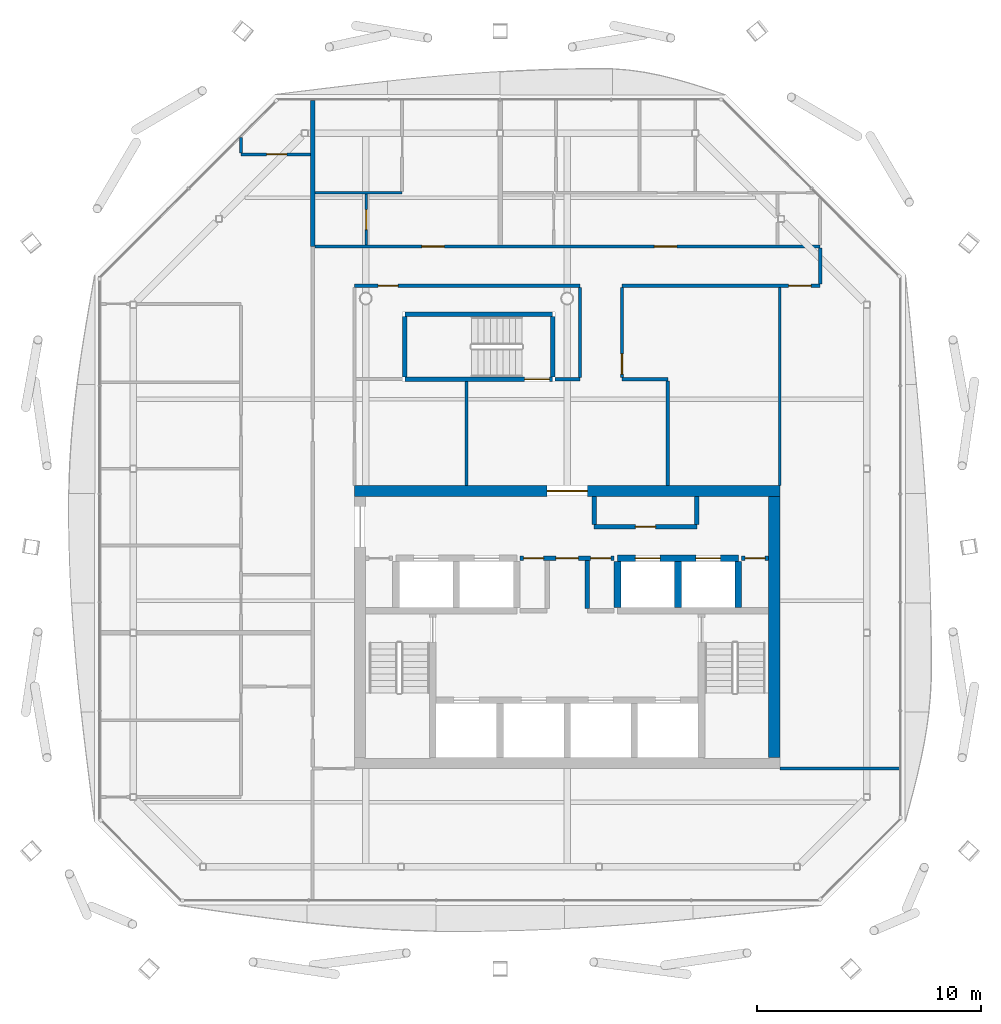
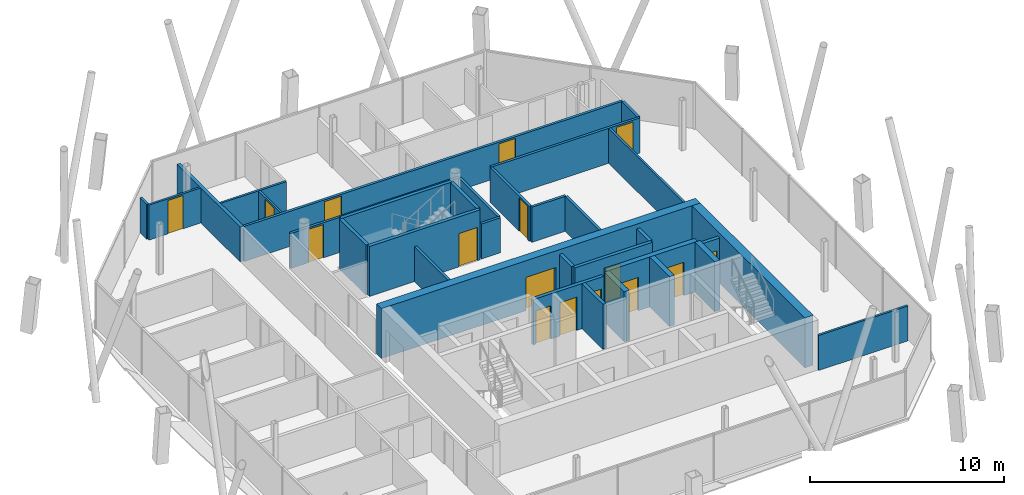
# One storey, part 13 of 17: 33 walls, 16 doors, 16 openings.
"""IFC4 building model written with IfcOpenShell, lengths in metres."""

from ifc_helpers import new_model, si_unit, direction, frame, frame_2d, origin, place, context, subcontext, project, spatial, rectangle, extrude, material, layer, layer_set, type_object, element, fill, save


model = new_model("IFC4")

# Units and contexts
model_context = context("Model", 3, precision=1e-05, world=origin(), true_north=direction((0.0, 1.0)))
body_context = subcontext(model_context, "Body", "Model", "MODEL_VIEW")
ifc_project = project(units=[si_unit("LENGTHUNIT", "METRE"), si_unit("AREAUNIT", "SQUARE_METRE"), si_unit("VOLUMEUNIT", "CUBIC_METRE"), si_unit("PLANEANGLEUNIT", "RADIAN"), si_unit("MASSUNIT", "GRAM", prefix="KILO")], contexts=[model_context])

# Site, building, storey
site_placement = place(None, origin())
site = spatial("IfcSite", under=ifc_project, at=site_placement, CompositionType="ELEMENT")
building_placement = place(site_placement, origin())
building = spatial("IfcBuilding", under=site, at=building_placement, Name="Tskaro Facet Tower", CompositionType="ELEMENT")
storey_placement = place(building_placement, frame((0.0, 0.0, 236.10009765625)))
storey = spatial("IfcBuildingStorey", under=building, at=storey_placement, Name="L61", CompositionType="ELEMENT", Elevation=236.10009765625)

# Wall, openings, doors
ifc_material_1 = material(Name="Concrete C60/75", Category="concrete")
ifc_layer_1 = layer(ifc_material_1, 0.300048828125, Name="Concrete C60/75")
ifc_layer_set_1 = layer_set([ifc_layer_1], Name="Concrete C60/75")
wall_type_1 = type_object("IfcWallType", Name="CORE-SHAFT", PredefinedType="SHEAR", material=ifc_layer_set_1)
wall_1_placement = place(storey_placement, frame((2.25, -2.60009765625, 0.0), z_axis=(0.0, 0.0, 1.0), x_axis=(1.0, 0.0, 0.0)))
wall_1 = element("IfcWall", 1, at=wall_1_placement, inside=storey, type_object=wall_type_1, Name="Shaft wall W018", PredefinedType="SHEAR", context=body_context, shape_type="SweptSolid", body=[
    extrude(rectangle(XDim=5.39990234375, YDim=0.300048828125, at=frame_2d((2.699951171875, 0.0))), origin(), (0.0, 0.0, 1.0), 3.14990234375),
])
opening_1_placement = place(wall_1_placement, frame((0.800048828125, 0.0, 0.0)))
opening_1 = element("IfcOpeningElement", 2, at=opening_1_placement, cuts=wall_1, Name="Opening LD-HB3", PredefinedType="OPENING", context=body_context, shape_type="SweptSolid", body=[
    extrude(rectangle(XDim=1.10009765625, YDim=2.10009765625, at=frame_2d((0.550048828125, 1.050048828125))), frame((0.0, 0.159912109375, 0.0), z_axis=(0.0, -1.0, 0.0), x_axis=(1.0, 0.0, 0.0)), (0.0, 0.0, 1.0), 0.320068359375),
])
opening_2_placement = place(wall_1_placement, frame((3.5, 0.0, 0.0)))
opening_2 = element("IfcOpeningElement", 3, at=opening_2_placement, cuts=wall_1, Name="Opening LD-HB4", PredefinedType="OPENING", context=body_context, shape_type="SweptSolid", body=[
    extrude(rectangle(XDim=1.10009765625, YDim=2.10009765625, at=frame_2d((0.550048828125, 1.050048828125))), frame((0.0, 0.159912109375, 0.0), z_axis=(0.0, -1.0, 0.0), x_axis=(1.0, 0.0, 0.0)), (0.0, 0.0, 1.0), 0.320068359375),
])
ifc_material_2 = material(Name="Stainless steel", Category="steel")
door_type_1 = type_object("IfcDoorType", Name="D-LANDING", OperationType="NOTDEFINED", PredefinedType="DOOR", material=ifc_material_2)
door_1_placement = place(opening_1_placement, origin())
door_1 = element("IfcDoor", 4, at=door_1_placement, inside=storey, type_object=door_type_1, Name="Landing door HB3", OperationType="DOUBLE_DOOR_SLIDING", OverallHeight=2.10009765625, OverallWidth=1.10009765625, PredefinedType="DOOR", context=body_context, shape_type="SweptSolid", body=[
    extrude(rectangle(XDim=1.10009765625, YDim=2.10009765625, at=frame_2d((0.550048828125, 1.050048828125))), frame((0.0, 0.02490234375, 0.0), z_axis=(0.0, -1.0, 0.0), x_axis=(1.0, 0.0, 0.0)), (0.0, 0.0, 1.0), 0.050048828125),
])
fill(opening_1, door_1)
door_2_placement = place(opening_2_placement, origin())
door_2 = element("IfcDoor", 5, at=door_2_placement, inside=storey, type_object=door_type_1, Name="Landing door HB4", OperationType="DOUBLE_DOOR_SLIDING", OverallHeight=2.10009765625, OverallWidth=1.10009765625, PredefinedType="DOOR", context=body_context, shape_type="SweptSolid", body=[
    extrude(rectangle(XDim=1.10009765625, YDim=2.10009765625, at=frame_2d((0.550048828125, 1.050048828125))), frame((0.0, 0.02490234375, 0.0), z_axis=(0.0, -1.0, 0.0), x_axis=(1.0, 0.0, 0.0)), (0.0, 0.0, 1.0), 0.050048828125),
])
fill(opening_2, door_2)

# Walls
for number, where, z_axis, x_axis, name in (
    (6, (2.25, -4.800048828125, 0.0), (0.0, 0.0, 1.0), (0.0, 1.0, 0.0), "Shaft wall W064"),
    (7, (4.949951171875, -4.800048828125, 0.0), (0.0, 0.0, 1.0), (0.0, 1.0, 0.0), "Shaft wall W069"),
    (8, (7.64990234375, -4.800048828125, 0.0), (0.0, 0.0, 1.0), (0.0, 1.0, 0.0), "Shaft wall W074"),
):
    element("IfcWall", number, at=place(storey_placement, frame(where, z_axis=z_axis, x_axis=x_axis)), inside=storey, type_object=wall_type_1, Name=name, PredefinedType="SHEAR", context=body_context, shape_type="SweptSolid", body=[
        extrude(rectangle(XDim=2.050048828125, YDim=0.300048828125, at=frame_2d((1.02490234375, 0.0))), origin(), (0.0, 0.0, 1.0), 3.14990234375),
    ])

# Wall, openings, doors
ifc_material_3 = material(Name="Concrete C20/25", Category="concrete")
ifc_layer_2 = layer(ifc_material_3, 0.199951171875, Name="Concrete C20/25")
ifc_layer_set_2 = layer_set([ifc_layer_2], Name="Concrete C20/25")
wall_type_2 = type_object("IfcWallType", Name="CORE-WALL", PredefinedType="SOLIDWALL", material=ifc_layer_set_2)
wall_2_placement = place(storey_placement, frame((2.10009765625, -2.60009765625, 0.0), z_axis=(0.0, 0.0, 1.0), x_axis=(-1.0, 0.0, 0.0)))
wall_2 = element("IfcWall", 9, at=wall_2_placement, inside=storey, type_object=wall_type_2, Name="Core room wall W017", PredefinedType="SOLIDWALL", context=body_context, shape_type="SweptSolid", body=[
    extrude(rectangle(XDim=4.2001953125, YDim=0.199951171875, at=frame_2d((2.10009765625, 0.0))), origin(), (0.0, 0.0, 1.0), 2.849853515625),
])
opening_3_placement = place(wall_2_placement, frame((1.60009765625, 0.0, 0.0)))
opening_3 = element("IfcOpeningElement", 10, at=opening_3_placement, cuts=wall_2, Name="Opening FL-D1", PredefinedType="OPENING", context=body_context, shape_type="SweptSolid", body=[
    extrude(rectangle(XDim=1.0, YDim=2.10009765625, at=frame_2d((0.5, 1.050048828125))), frame((0.0, 0.10986328125, 0.0), z_axis=(0.0, -1.0, 0.0), x_axis=(1.0, 0.0, 0.0)), (0.0, 0.0, 1.0), 0.219970703125),
])
opening_4_placement = place(wall_2_placement, frame((3.14990234375, 0.0, 0.0)))
opening_4 = element("IfcOpeningElement", 11, at=opening_4_placement, cuts=wall_2, Name="Opening T18-D09", PredefinedType="OPENING", context=body_context, shape_type="SweptSolid", body=[
    extrude(rectangle(XDim=0.89990234375, YDim=2.10009765625, at=frame_2d((0.449951171875, 1.050048828125))), frame((0.0, 0.10986328125, 0.0), z_axis=(0.0, -1.0, 0.0), x_axis=(1.0, 0.0, 0.0)), (0.0, 0.0, 1.0), 0.219970703125),
])
opening_5_placement = place(wall_2_placement, frame((0.14990234375, 0.0, 0.0)))
opening_5 = element("IfcOpeningElement", 12, at=opening_5_placement, cuts=wall_2, Name="Opening T18-D10", PredefinedType="OPENING", context=body_context, shape_type="SweptSolid", body=[
    extrude(rectangle(XDim=0.89990234375, YDim=2.10009765625, at=frame_2d((0.449951171875, 1.050048828125))), frame((0.0, 0.10986328125, 0.0), z_axis=(0.0, -1.0, 0.0), x_axis=(1.0, 0.0, 0.0)), (0.0, 0.0, 1.0), 0.219970703125),
])
ifc_material_4 = material(Name="Steel", Category="steel")
door_type_2 = type_object("IfcDoorType", Name="D-LOBBY", OperationType="NOTDEFINED", PredefinedType="DOOR", material=ifc_material_4)
door_3_placement = place(opening_3_placement, origin())
door_3 = element("IfcDoor", 13, at=door_3_placement, inside=storey, type_object=door_type_2, Name="Lobby door FL", OperationType="SINGLE_SWING_RIGHT", OverallHeight=2.10009765625, OverallWidth=1.0, PredefinedType="DOOR", context=body_context, shape_type="SweptSolid", body=[
    extrude(rectangle(XDim=1.0, YDim=2.10009765625, at=frame_2d((0.5, 1.050048828125))), frame((0.0, 0.02490234375, 0.0), z_axis=(0.0, -1.0, 0.0), x_axis=(1.0, 0.0, 0.0)), (0.0, 0.0, 1.0), 0.050048828125),
])
fill(opening_3, door_3)
ifc_material_5 = material(Name="Timber", Category="wood")
door_type_3 = type_object("IfcDoorType", Name="D-ROOM", OperationType="NOTDEFINED", PredefinedType="DOOR", material=ifc_material_5)
door_4_placement = place(opening_4_placement, origin())
door_4 = element("IfcDoor", 14, at=door_4_placement, inside=storey, type_object=door_type_3, Name="Door T18-D09", OperationType="SINGLE_SWING_RIGHT", OverallHeight=2.10009765625, OverallWidth=0.89990234375, PredefinedType="DOOR", context=body_context, shape_type="SweptSolid", body=[
    extrude(rectangle(XDim=0.89990234375, YDim=2.10009765625, at=frame_2d((0.449951171875, 1.050048828125))), frame((0.0, 0.02490234375, 0.0), z_axis=(0.0, -1.0, 0.0), x_axis=(1.0, 0.0, 0.0)), (0.0, 0.0, 1.0), 0.050048828125),
])
fill(opening_4, door_4)
door_5_placement = place(opening_5_placement, origin())
door_5 = element("IfcDoor", 15, at=door_5_placement, inside=storey, type_object=door_type_3, Name="Door T18-D10", OperationType="SINGLE_SWING_RIGHT", OverallHeight=2.10009765625, OverallWidth=0.89990234375, PredefinedType="DOOR", context=body_context, shape_type="SweptSolid", body=[
    extrude(rectangle(XDim=0.89990234375, YDim=2.10009765625, at=frame_2d((0.449951171875, 1.050048828125))), frame((0.0, 0.02490234375, 0.0), z_axis=(0.0, -1.0, 0.0), x_axis=(1.0, 0.0, 0.0)), (0.0, 0.0, 1.0), 0.050048828125),
])
fill(opening_5, door_5)

# Wall, opening, door
wall_3_placement = place(storey_placement, frame((9.0, -2.60009765625, 0.0), z_axis=(0.0, 0.0, 1.0), x_axis=(-1.0, 0.0, 0.0)))
wall_3 = element("IfcWall", 16, at=wall_3_placement, inside=storey, type_object=wall_type_2, Name="Core room wall W019", PredefinedType="SOLIDWALL", context=body_context, shape_type="SweptSolid", body=[
    extrude(rectangle(XDim=1.199951171875, YDim=0.199951171875, at=frame_2d((0.60009765625, 0.0))), origin(), (0.0, 0.0, 1.0), 2.849853515625),
])
opening_6_placement = place(wall_3_placement, frame((0.14990234375, 0.0, 0.0)))
opening_6 = element("IfcOpeningElement", 17, at=opening_6_placement, cuts=wall_3, Name="Opening T18-D11", PredefinedType="OPENING", context=body_context, shape_type="SweptSolid", body=[
    extrude(rectangle(XDim=0.89990234375, YDim=2.10009765625, at=frame_2d((0.449951171875, 1.050048828125))), frame((0.0, 0.10986328125, 0.0), z_axis=(0.0, -1.0, 0.0), x_axis=(1.0, 0.0, 0.0)), (0.0, 0.0, 1.0), 0.219970703125),
])
door_6_placement = place(opening_6_placement, origin())
door_6 = element("IfcDoor", 18, at=door_6_placement, inside=storey, type_object=door_type_3, Name="Door T18-D11", OperationType="SINGLE_SWING_RIGHT", OverallHeight=2.10009765625, OverallWidth=0.89990234375, PredefinedType="DOOR", context=body_context, shape_type="SweptSolid", body=[
    extrude(rectangle(XDim=0.89990234375, YDim=2.10009765625, at=frame_2d((0.449951171875, 1.050048828125))), frame((0.0, 0.02490234375, 0.0), z_axis=(0.0, -1.0, 0.0), x_axis=(1.0, 0.0, 0.0)), (0.0, 0.0, 1.0), 0.050048828125),
])
fill(opening_6, door_6)

wall_4_placement = place(storey_placement, frame((1.199951171875, -1.199951171875, 0.0), z_axis=(0.0, 0.0, 1.0), x_axis=(1.0, 0.0, 0.0)))
wall_4 = element("IfcWall", 19, at=wall_4_placement, inside=storey, type_object=wall_type_2, Name="Core room wall W021", PredefinedType="SOLIDWALL", context=body_context, shape_type="SweptSolid", body=[
    extrude(rectangle(XDim=4.60009765625, YDim=0.199951171875, at=frame_2d((2.300048828125, 0.0))), origin(), (0.0, 0.0, 1.0), 2.849853515625),
])
opening_7_placement = place(wall_4_placement, frame((1.85009765625, 0.0, 0.0)))
opening_7 = element("IfcOpeningElement", 20, at=opening_7_placement, cuts=wall_4, Name="Opening T18-D13", PredefinedType="OPENING", context=body_context, shape_type="SweptSolid", body=[
    extrude(rectangle(XDim=0.89990234375, YDim=2.10009765625, at=frame_2d((0.449951171875, 1.050048828125))), frame((0.0, 0.10986328125, 0.0), z_axis=(0.0, -1.0, 0.0), x_axis=(1.0, 0.0, 0.0)), (0.0, 0.0, 1.0), 0.219970703125),
])
door_7_placement = place(opening_7_placement, origin())
door_7 = element("IfcDoor", 21, at=door_7_placement, inside=storey, type_object=door_type_3, Name="Door T18-D13", OperationType="SINGLE_SWING_LEFT", OverallHeight=2.10009765625, OverallWidth=0.89990234375, PredefinedType="DOOR", context=body_context, shape_type="SweptSolid", body=[
    extrude(rectangle(XDim=0.89990234375, YDim=2.10009765625, at=frame_2d((0.449951171875, 1.050048828125))), frame((0.0, 0.02490234375, 0.0), z_axis=(0.0, -1.0, 0.0), x_axis=(1.0, 0.0, 0.0)), (0.0, 0.0, 1.0), 0.050048828125),
])
fill(opening_7, door_7)

# Walls
wall_5_placement = place(storey_placement, frame((0.89990234375, -4.85009765625, 0.0), z_axis=(0.0, 0.0, 1.0), x_axis=(0.0, 1.0, 0.0)))
element("IfcWall", 22, at=wall_5_placement, inside=storey, type_object=wall_type_2, Name="Core room wall W062", PredefinedType="SOLIDWALL", context=body_context, shape_type="SweptSolid", body=[
    extrude(rectangle(XDim=2.150146484375, YDim=0.199951171875, at=frame_2d((1.0751953125, 0.0))), origin(), (0.0, 0.0, 1.0), 2.849853515625),
])
for number, where, z_axis, x_axis, name in (
    (23, (1.199951171875, -1.10009765625, 0.0), (0.0, 0.0, 1.0), (0.0, 1.0, 0.0), "Core room wall W063"),
    (24, (5.800048828125, -1.10009765625, 0.0), (0.0, 0.0, 1.0), (0.0, 1.0, 0.0), "Core room wall W072"),
):
    element("IfcWall", number, at=place(storey_placement, frame(where, z_axis=z_axis, x_axis=x_axis)), inside=storey, type_object=wall_type_2, Name=name, PredefinedType="SOLIDWALL", context=body_context, shape_type="SweptSolid", body=[
        extrude(rectangle(XDim=1.25, YDim=0.199951171875, at=frame_2d((0.625, 0.0))), origin(), (0.0, 0.0, 1.0), 2.849853515625),
    ])

# Wall, opening, door
ifc_material_6 = material(Name="Concrete C40/50", Category="concrete")
ifc_layer_3 = layer(ifc_material_6, 0.5, Name="Concrete C40/50")
ifc_layer_set_3 = layer_set([ifc_layer_3], Name="Concrete C40/50")
wall_type_3 = type_object("IfcWallType", Name="Core wall 500", PredefinedType="SHEAR", material=ifc_layer_set_3)
wall_6_placement = place(storey_placement, frame((-9.5, 0.39990234375, 0.0), z_axis=(0.0, 0.0, 1.0), x_axis=(1.0, 0.0, 0.0)))
wall_6 = element("IfcWall", 25, at=wall_6_placement, inside=storey, type_object=wall_type_3, Name="Core wall CW-Z3N", PredefinedType="SHEAR", context=body_context, shape_type="SweptSolid", body=[
    extrude(rectangle(XDim=19.0, YDim=0.5, at=frame_2d((9.5, 0.0))), origin(), (0.0, 0.0, 1.0), 3.14990234375),
])
opening_8_placement = place(wall_6_placement, frame((8.60009765625, 0.0, 0.0)))
opening_8 = element("IfcOpeningElement", 26, at=opening_8_placement, cuts=wall_6, Name="Opening T18-D15", PredefinedType="OPENING", context=body_context, shape_type="SweptSolid", body=[
    extrude(rectangle(XDim=1.800048828125, YDim=2.10009765625, at=frame_2d((0.89990234375, 1.050048828125))), frame((0.0, 0.260009765625, 0.0), z_axis=(0.0, -1.0, 0.0), x_axis=(1.0, 0.0, 0.0)), (0.0, 0.0, 1.0), 0.52001953125),
])
door_type_4 = type_object("IfcDoorType", Name="D-CORE-PAIR", OperationType="NOTDEFINED", PredefinedType="DOOR", material=ifc_material_4)
door_8_placement = place(opening_8_placement, origin())
door_8 = element("IfcDoor", 27, at=door_8_placement, inside=storey, type_object=door_type_4, Name="Door T18-D15", OperationType="DOUBLE_DOOR_SINGLE_SWING", OverallHeight=2.10009765625, OverallWidth=1.800048828125, PredefinedType="DOOR", context=body_context, shape_type="SweptSolid", body=[
    extrude(rectangle(XDim=1.800048828125, YDim=2.10009765625, at=frame_2d((0.89990234375, 1.050048828125))), frame((0.0, 0.02490234375, 0.0), z_axis=(0.0, -1.0, 0.0), x_axis=(1.0, 0.0, 0.0)), (0.0, 0.0, 1.0), 0.050048828125),
])
fill(opening_8, door_8)

# Walls
wall_7_placement = place(storey_placement, frame((9.25, -11.5, 0.0), z_axis=(0.0, 0.0, 1.0), x_axis=(0.0, 1.0, 0.0)))
element("IfcWall", 28, at=wall_7_placement, inside=storey, type_object=wall_type_3, Name="Core wall CW-Z3E", PredefinedType="SHEAR", context=body_context, shape_type="SweptSolid", body=[
    extrude(rectangle(XDim=11.64990234375, YDim=0.5, at=frame_2d((5.824951171875, 0.0))), origin(), (0.0, 0.0, 1.0), 3.14990234375),
])
ifc_material_7 = material(Name="Gypsum board on steel studs", Category="steel")
ifc_layer_4 = layer(ifc_material_7, 0.125, Name="Gypsum board on steel studs")
ifc_layer_set_4 = layer_set([ifc_layer_4], Name="Gypsum board on steel studs")
wall_type_4 = type_object("IfcWallType", Name="PART", PredefinedType="PARTITIONING", material=ifc_layer_set_4)
wall_8_placement = place(storey_placement, frame((9.5, -12.0, 0.0), z_axis=(0.0, 0.0, 1.0), x_axis=(1.0, 0.0, 0.0)))
element("IfcWall", 29, at=wall_8_placement, inside=storey, type_object=wall_type_4, Name="Partition W004", PredefinedType="PARTITIONING", context=body_context, shape_type="SweptSolid", body=[
    extrude(rectangle(XDim=5.339111328125, YDim=0.125, at=frame_2d((2.66943359375, 0.0))), origin(), (0.0, 0.0, 1.0), 2.2099609375),
])
wall_9_placement = place(storey_placement, frame((-11.27490234375, 13.72509765625, 0.0), z_axis=(0.0, 0.0, 1.0), x_axis=(1.0, 0.0, 0.0)))
element("IfcWall", 30, at=wall_9_placement, inside=storey, type_object=wall_type_4, Name="Partition W035", PredefinedType="PARTITIONING", context=body_context, shape_type="SweptSolid", body=[
    extrude(rectangle(XDim=3.89990234375, YDim=0.125, at=frame_2d((1.949951171875, 0.0))), origin(), (0.0, 0.0, 1.0), 2.2099609375),
])

# Wall, opening, door
wall_10_placement = place(storey_placement, frame((-14.574951171875, 15.43994140625, 0.0), z_axis=(0.0, 0.0, 1.0), x_axis=(1.0, 0.0, 0.0)))
wall_10 = element("IfcWall", 31, at=wall_10_placement, inside=storey, type_object=wall_type_4, Name="Partition W038", PredefinedType="PARTITIONING", context=body_context, shape_type="SweptSolid", body=[
    extrude(rectangle(XDim=3.099853515625, YDim=0.125, at=frame_2d((1.5498046875, 0.0))), origin(), (0.0, 0.0, 1.0), 2.2099609375),
])
opening_9_placement = place(wall_10_placement, frame((1.14990234375, 0.0, 0.0)))
opening_9 = element("IfcOpeningElement", 32, at=opening_9_placement, cuts=wall_10, Name="Opening T18-D30", PredefinedType="OPENING", context=body_context, shape_type="SweptSolid", body=[
    extrude(rectangle(XDim=0.89990234375, YDim=2.10009765625, at=frame_2d((0.449951171875, 1.050048828125))), frame((0.0, 0.072509765625, 0.0), z_axis=(0.0, -1.0, 0.0), x_axis=(1.0, 0.0, 0.0)), (0.0, 0.0, 1.0), 0.14501953125),
])
door_9_placement = place(opening_9_placement, origin())
door_9 = element("IfcDoor", 33, at=door_9_placement, inside=storey, type_object=door_type_3, Name="Door T18-D30", OperationType="SINGLE_SWING_LEFT", OverallHeight=2.10009765625, OverallWidth=0.89990234375, PredefinedType="DOOR", context=body_context, shape_type="SweptSolid", body=[
    extrude(rectangle(XDim=0.89990234375, YDim=2.10009765625, at=frame_2d((0.449951171875, 1.050048828125))), frame((0.0, 0.02490234375, 0.0), z_axis=(0.0, -1.0, 0.0), x_axis=(1.0, 0.0, 0.0)), (0.0, 0.0, 1.0), 0.050048828125),
])
fill(opening_9, door_9)

# Wall
wall_11_placement = place(storey_placement, frame((-14.574951171875, 15.50244140625, 0.0), z_axis=(0.0, 0.0, 1.0), x_axis=(0.0, 1.0, 0.0)))
element("IfcWall", 34, at=wall_11_placement, inside=storey, type_object=wall_type_4, Name="Partition W040", PredefinedType="PARTITIONING", context=body_context, shape_type="SweptSolid", body=[
    extrude(rectangle(XDim=0.689453125, YDim=0.125, at=frame_2d((0.3447265625, 0.0))), origin(), (0.0, 0.0, 1.0), 2.2099609375),
])

# Wall, opening, door
wall_12_placement = place(storey_placement, frame((-8.97509765625, 11.39990234375, 0.0), z_axis=(0.0, 0.0, 1.0), x_axis=(0.0, 1.0, 0.0)))
wall_12 = element("IfcWall", 35, at=wall_12_placement, inside=storey, type_object=wall_type_4, Name="Partition W045", PredefinedType="PARTITIONING", context=body_context, shape_type="SweptSolid", body=[
    extrude(rectangle(XDim=2.2626953125, YDim=0.125, at=frame_2d((1.13134765625, 0.0))), origin(), (0.0, 0.0, 1.0), 2.2099609375),
])
opening_10_placement = place(wall_12_placement, frame((0.675048828125, 0.0, 0.0)))
opening_10 = element("IfcOpeningElement", 36, at=opening_10_placement, cuts=wall_12, Name="Opening T18-D25", PredefinedType="OPENING", context=body_context, shape_type="SweptSolid", body=[
    extrude(rectangle(XDim=0.89990234375, YDim=2.10009765625, at=frame_2d((0.449951171875, 1.050048828125))), frame((0.0, 0.072509765625, 0.0), z_axis=(0.0, -1.0, 0.0), x_axis=(1.0, 0.0, 0.0)), (0.0, 0.0, 1.0), 0.14501953125),
])
door_10_placement = place(opening_10_placement, origin())
door_10 = element("IfcDoor", 37, at=door_10_placement, inside=storey, type_object=door_type_3, Name="Door T18-D25", OperationType="SINGLE_SWING_LEFT", OverallHeight=2.10009765625, OverallWidth=0.89990234375, PredefinedType="DOOR", context=body_context, shape_type="SweptSolid", body=[
    extrude(rectangle(XDim=0.89990234375, YDim=2.10009765625, at=frame_2d((0.449951171875, 1.050048828125))), frame((0.0, 0.02490234375, 0.0), z_axis=(0.0, -1.0, 0.0), x_axis=(1.0, 0.0, 0.0)), (0.0, 0.0, 1.0), 0.050048828125),
])
fill(opening_10, door_10)

# Walls
wall_13_placement = place(storey_placement, frame((9.5, 0.64990234375, 0.0), z_axis=(0.0, 0.0, 1.0), x_axis=(0.0, 1.0, 0.0)))
element("IfcWall", 38, at=wall_13_placement, inside=storey, type_object=wall_type_4, Name="Partition W077", PredefinedType="PARTITIONING", context=body_context, shape_type="SweptSolid", body=[
    extrude(rectangle(XDim=8.85009765625, YDim=0.125, at=frame_2d((4.425048828125, 0.0))), origin(), (0.0, 0.0, 1.0), 2.2099609375),
])
ifc_layer_5 = layer(ifc_material_7, 0.14990234375, Name="Gypsum board on steel studs")
ifc_layer_set_5 = layer_set([ifc_layer_5], Name="Gypsum board on steel studs")
wall_type_5 = type_object("IfcWallType", Name="PART-CORR", PredefinedType="PARTITIONING", material=ifc_layer_set_5)
wall_14_placement = place(storey_placement, frame((-0.550048828125, 5.39990234375, 0.0), z_axis=(0.0, 0.0, 1.0), x_axis=(1.0, 0.0, 0.0)))
element("IfcWall", 39, at=wall_14_placement, inside=storey, type_object=wall_type_5, Name="Corridor wall W027", PredefinedType="PARTITIONING", context=body_context, shape_type="SweptSolid", body=[
    extrude(rectangle(XDim=1.125, YDim=0.14990234375, at=frame_2d((0.5625, 0.0))), origin(), (0.0, 0.0, 1.0), 2.2099609375),
])
wall_15_placement = place(storey_placement, frame((2.449951171875, 5.39990234375, 0.0), z_axis=(0.0, 0.0, 1.0), x_axis=(1.0, 0.0, 0.0)))
element("IfcWall", 40, at=wall_15_placement, inside=storey, type_object=wall_type_5, Name="Corridor wall W028", PredefinedType="PARTITIONING", context=body_context, shape_type="SweptSolid", body=[
    extrude(rectangle(XDim=2.050048828125, YDim=0.14990234375, at=frame_2d((1.02490234375, 0.0))), origin(), (0.0, 0.0, 1.0), 2.2099609375),
])

# Wall, opening, door
wall_16_placement = place(storey_placement, frame((0.574951171875, 9.574951171875, 0.0), z_axis=(0.0, 0.0, 1.0), x_axis=(-1.0, 0.0, 0.0)))
wall_16 = element("IfcWall", 41, at=wall_16_placement, inside=storey, type_object=wall_type_5, Name="Corridor wall W032", PredefinedType="PARTITIONING", context=body_context, shape_type="SweptSolid", body=[
    extrude(rectangle(XDim=10.074951171875, YDim=0.14990234375, at=frame_2d((5.03759765625, 0.0))), origin(), (0.0, 0.0, 1.0), 2.2099609375),
])
opening_11_placement = place(wall_16_placement, frame((8.125, 0.0, 0.0)))
opening_11 = element("IfcOpeningElement", 42, at=opening_11_placement, cuts=wall_16, Name="Opening T18-D21", PredefinedType="OPENING", context=body_context, shape_type="SweptSolid", body=[
    extrude(rectangle(XDim=0.89990234375, YDim=2.10009765625, at=frame_2d((0.449951171875, 1.050048828125))), frame((0.0, 0.0849609375, 0.0), z_axis=(0.0, -1.0, 0.0), x_axis=(1.0, 0.0, 0.0)), (0.0, 0.0, 1.0), 0.169921875),
])
door_11_placement = place(opening_11_placement, origin())
door_11 = element("IfcDoor", 43, at=door_11_placement, inside=storey, type_object=door_type_3, Name="Door T18-D21", OperationType="SINGLE_SWING_RIGHT", OverallHeight=2.10009765625, OverallWidth=0.89990234375, PredefinedType="DOOR", context=body_context, shape_type="SweptSolid", body=[
    extrude(rectangle(XDim=0.89990234375, YDim=2.10009765625, at=frame_2d((0.449951171875, 1.050048828125))), frame((0.0, 0.02490234375, 0.0), z_axis=(0.0, -1.0, 0.0), x_axis=(1.0, 0.0, 0.0)), (0.0, 0.0, 1.0), 0.050048828125),
])
fill(opening_11, door_11)

wall_17_placement = place(storey_placement, frame((11.300048828125, 9.574951171875, 0.0), z_axis=(0.0, 0.0, 1.0), x_axis=(-1.0, 0.0, 0.0)))
wall_17 = element("IfcWall", 44, at=wall_17_placement, inside=storey, type_object=wall_type_5, Name="Corridor wall W033", PredefinedType="PARTITIONING", context=body_context, shape_type="SweptSolid", body=[
    extrude(rectangle(XDim=8.85009765625, YDim=0.14990234375, at=frame_2d((4.425048828125, 0.0))), origin(), (0.0, 0.0, 1.0), 2.2099609375),
])
opening_12_placement = place(wall_17_placement, frame((0.39990234375, 0.0, 0.0)))
opening_12 = element("IfcOpeningElement", 45, at=opening_12_placement, cuts=wall_17, Name="Opening T18-D22", PredefinedType="OPENING", context=body_context, shape_type="SweptSolid", body=[
    extrude(rectangle(XDim=1.0, YDim=2.10009765625, at=frame_2d((0.5, 1.050048828125))), frame((0.0, 0.0849609375, 0.0), z_axis=(0.0, -1.0, 0.0), x_axis=(1.0, 0.0, 0.0)), (0.0, 0.0, 1.0), 0.169921875),
])
door_type_5 = type_object("IfcDoorType", Name="D-ROOM-WIDE", OperationType="NOTDEFINED", PredefinedType="DOOR", material=ifc_material_5)
door_12_placement = place(opening_12_placement, origin())
door_12 = element("IfcDoor", 46, at=door_12_placement, inside=storey, type_object=door_type_5, Name="Door T18-D22", OperationType="SINGLE_SWING_RIGHT", OverallHeight=2.10009765625, OverallWidth=1.0, PredefinedType="DOOR", context=body_context, shape_type="SweptSolid", body=[
    extrude(rectangle(XDim=1.0, YDim=2.10009765625, at=frame_2d((0.5, 1.050048828125))), frame((0.0, 0.02490234375, 0.0), z_axis=(0.0, -1.0, 0.0), x_axis=(1.0, 0.0, 0.0)), (0.0, 0.0, 1.0), 0.050048828125),
])
fill(opening_12, door_12)

# Wall, openings, doors
wall_18_placement = place(storey_placement, frame((-11.27490234375, 11.324951171875, 0.0), z_axis=(0.0, 0.0, 1.0), x_axis=(1.0, 0.0, 0.0)))
wall_18 = element("IfcWall", 47, at=wall_18_placement, inside=storey, type_object=wall_type_5, Name="Corridor wall W034", PredefinedType="PARTITIONING", context=body_context, shape_type="SweptSolid", body=[
    extrude(rectangle(XDim=22.574951171875, YDim=0.14990234375, at=frame_2d((11.28759765625, 0.0))), origin(), (0.0, 0.0, 1.0), 2.2099609375),
])
opening_13_placement = place(wall_18_placement, frame((4.78759765625, 0.0, 0.0)))
opening_13 = element("IfcOpeningElement", 48, at=opening_13_placement, cuts=wall_18, Name="Opening T18-D23", PredefinedType="OPENING", context=body_context, shape_type="SweptSolid", body=[
    extrude(rectangle(XDim=1.0, YDim=2.10009765625, at=frame_2d((0.5, 1.050048828125))), frame((0.0, 0.0849609375, 0.0), z_axis=(0.0, -1.0, 0.0), x_axis=(1.0, 0.0, 0.0)), (0.0, 0.0, 1.0), 0.169921875),
])
opening_14_placement = place(wall_18_placement, frame((15.175048828125, 0.0, 0.0)))
opening_14 = element("IfcOpeningElement", 49, at=opening_14_placement, cuts=wall_18, Name="Opening T18-D24", PredefinedType="OPENING", context=body_context, shape_type="SweptSolid", body=[
    extrude(rectangle(XDim=1.0, YDim=2.10009765625, at=frame_2d((0.5, 1.050048828125))), frame((0.0, 0.0849609375, 0.0), z_axis=(0.0, -1.0, 0.0), x_axis=(1.0, 0.0, 0.0)), (0.0, 0.0, 1.0), 0.169921875),
])
door_type_6 = type_object("IfcDoorType", Name="D-FLAT-ENTRY", OperationType="NOTDEFINED", PredefinedType="DOOR", material=ifc_material_5)
door_13_placement = place(opening_13_placement, origin())
door_13 = element("IfcDoor", 50, at=door_13_placement, inside=storey, type_object=door_type_6, Name="Door T18-D23", OperationType="SINGLE_SWING_LEFT", OverallHeight=2.10009765625, OverallWidth=1.0, PredefinedType="DOOR", context=body_context, shape_type="SweptSolid", body=[
    extrude(rectangle(XDim=1.0, YDim=2.10009765625, at=frame_2d((0.5, 1.050048828125))), frame((0.0, 0.02490234375, 0.0), z_axis=(0.0, -1.0, 0.0), x_axis=(1.0, 0.0, 0.0)), (0.0, 0.0, 1.0), 0.050048828125),
])
fill(opening_13, door_13)
door_14_placement = place(opening_14_placement, origin())
door_14 = element("IfcDoor", 51, at=door_14_placement, inside=storey, type_object=door_type_6, Name="Door T18-D24", OperationType="SINGLE_SWING_LEFT", OverallHeight=2.10009765625, OverallWidth=1.0, PredefinedType="DOOR", context=body_context, shape_type="SweptSolid", body=[
    extrude(rectangle(XDim=1.0, YDim=2.10009765625, at=frame_2d((0.5, 1.050048828125))), frame((0.0, 0.02490234375, 0.0), z_axis=(0.0, -1.0, 0.0), x_axis=(1.0, 0.0, 0.0)), (0.0, 0.0, 1.0), 0.050048828125),
])
fill(opening_14, door_14)

# Walls
wall_19_placement = place(storey_placement, frame((-4.5, 0.64990234375, 0.0), z_axis=(0.0, 0.0, 1.0), x_axis=(0.0, 1.0, 0.0)))
element("IfcWall", 52, at=wall_19_placement, inside=storey, type_object=wall_type_5, Name="Corridor wall W051", PredefinedType="PARTITIONING", context=body_context, shape_type="SweptSolid", body=[
    extrude(rectangle(XDim=4.650146484375, YDim=0.14990234375, at=frame_2d((2.3251953125, 0.0))), origin(), (0.0, 0.0, 1.0), 2.2099609375),
])
wall_20_placement = place(storey_placement, frame((0.574951171875, 5.47509765625, 0.0), z_axis=(0.0, 0.0, 1.0), x_axis=(0.0, 1.0, 0.0)))
element("IfcWall", 53, at=wall_20_placement, inside=storey, type_object=wall_type_5, Name="Corridor wall W061", PredefinedType="PARTITIONING", context=body_context, shape_type="SweptSolid", body=[
    extrude(rectangle(XDim=4.02490234375, YDim=0.14990234375, at=frame_2d((2.012451171875, 0.0))), origin(), (0.0, 0.0, 1.0), 2.2099609375),
])

# Wall, opening, door
wall_21_placement = place(storey_placement, frame((2.449951171875, 9.5, 0.0), z_axis=(0.0, 0.0, 1.0), x_axis=(0.0, -1.0, 0.0)))
wall_21 = element("IfcWall", 54, at=wall_21_placement, inside=storey, type_object=wall_type_5, Name="Corridor wall W065", PredefinedType="PARTITIONING", context=body_context, shape_type="SweptSolid", body=[
    extrude(rectangle(XDim=4.02490234375, YDim=0.14990234375, at=frame_2d((2.012451171875, 0.0))), origin(), (0.0, 0.0, 1.0), 2.2099609375),
])
opening_15_placement = place(wall_21_placement, frame((2.97509765625, 0.0, 0.0)))
opening_15 = element("IfcOpeningElement", 55, at=opening_15_placement, cuts=wall_21, Name="Opening T18-D19", PredefinedType="OPENING", context=body_context, shape_type="SweptSolid", body=[
    extrude(rectangle(XDim=0.89990234375, YDim=2.10009765625, at=frame_2d((0.449951171875, 1.050048828125))), frame((0.0, 0.0849609375, 0.0), z_axis=(0.0, -1.0, 0.0), x_axis=(1.0, 0.0, 0.0)), (0.0, 0.0, 1.0), 0.169921875),
])
door_15_placement = place(opening_15_placement, origin())
door_15 = element("IfcDoor", 56, at=door_15_placement, inside=storey, type_object=door_type_3, Name="Door T18-D19", OperationType="SINGLE_SWING_RIGHT", OverallHeight=2.10009765625, OverallWidth=0.89990234375, PredefinedType="DOOR", context=body_context, shape_type="SweptSolid", body=[
    extrude(rectangle(XDim=0.89990234375, YDim=2.10009765625, at=frame_2d((0.449951171875, 1.050048828125))), frame((0.0, 0.02490234375, 0.0), z_axis=(0.0, -1.0, 0.0), x_axis=(1.0, 0.0, 0.0)), (0.0, 0.0, 1.0), 0.050048828125),
])
fill(opening_15, door_15)

# Walls
wall_22_placement = place(storey_placement, frame((4.5, 0.64990234375, 0.0), z_axis=(0.0, 0.0, 1.0), x_axis=(0.0, 1.0, 0.0)))
element("IfcWall", 57, at=wall_22_placement, inside=storey, type_object=wall_type_5, Name="Corridor wall W068", PredefinedType="PARTITIONING", context=body_context, shape_type="SweptSolid", body=[
    extrude(rectangle(XDim=4.675048828125, YDim=0.14990234375, at=frame_2d((2.33740234375, 0.0))), origin(), (0.0, 0.0, 1.0), 2.2099609375),
])
wall_23_placement = place(storey_placement, frame((11.300048828125, 9.64990234375, 0.0), z_axis=(0.0, 0.0, 1.0), x_axis=(0.0, 1.0, 0.0)))
element("IfcWall", 58, at=wall_23_placement, inside=storey, type_object=wall_type_5, Name="Corridor wall W078", PredefinedType="PARTITIONING", context=body_context, shape_type="SweptSolid", body=[
    extrude(rectangle(XDim=1.60009765625, YDim=0.14990234375, at=frame_2d((0.800048828125, 0.0))), origin(), (0.0, 0.0, 1.0), 2.2099609375),
])
ifc_layer_6 = layer(ifc_material_7, 0.199951171875, Name="Gypsum board on steel studs")
ifc_layer_set_6 = layer_set([ifc_layer_6], Name="Gypsum board on steel studs")
wall_type_6 = type_object("IfcWallType", Name="PART-DEMISING", PredefinedType="PARTITIONING", material=ifc_layer_set_6)
wall_24_placement = place(storey_placement, frame((-11.375, 11.324951171875, 0.0), z_axis=(0.0, 0.0, 1.0), x_axis=(0.0, 1.0, 0.0)))
element("IfcWall", 59, at=wall_24_placement, inside=storey, type_object=wall_type_6, Name="Guest room wall W043", PredefinedType="PARTITIONING", context=body_context, shape_type="SweptSolid", body=[
    extrude(rectangle(XDim=6.51416015625, YDim=0.199951171875, at=frame_2d((3.257080078125, 0.0))), origin(), (0.0, 0.0, 1.0), 2.2099609375),
])

# Wall, opening, door
ifc_layer_7 = layer(ifc_material_1, 0.199951171875, Name="Concrete C60/75")
ifc_layer_set_7 = layer_set([ifc_layer_7], Name="Concrete C60/75")
wall_type_7 = type_object("IfcWallType", Name="STAIR-WALL", PredefinedType="SHEAR", material=ifc_layer_set_7)
wall_25_placement = place(storey_placement, frame((-7.25, 5.39990234375, 0.0), z_axis=(0.0, 0.0, 1.0), x_axis=(1.0, 0.0, 0.0)))
wall_25 = element("IfcWall", 60, at=wall_25_placement, inside=storey, type_object=wall_type_7, Name="Stair wall W026", PredefinedType="SHEAR", context=body_context, shape_type="SweptSolid", body=[
    extrude(rectangle(XDim=6.60009765625, YDim=0.199951171875, at=frame_2d((3.300048828125, 0.0))), origin(), (0.0, 0.0, 1.0), 3.14990234375),
])
opening_16_placement = place(wall_25_placement, frame((5.35009765625, 0.0, 0.0)))
opening_16 = element("IfcOpeningElement", 61, at=opening_16_placement, cuts=wall_25, Name="Opening ST-3-D1", PredefinedType="OPENING", context=body_context, shape_type="SweptSolid", body=[
    extrude(rectangle(XDim=1.10009765625, YDim=2.10009765625, at=frame_2d((0.550048828125, 1.050048828125))), frame((0.0, 0.10986328125, 0.0), z_axis=(0.0, -1.0, 0.0), x_axis=(1.0, 0.0, 0.0)), (0.0, 0.0, 1.0), 0.219970703125),
])
door_type_7 = type_object("IfcDoorType", Name="D-STAIR", OperationType="NOTDEFINED", PredefinedType="DOOR", material=ifc_material_4)
door_16_placement = place(opening_16_placement, origin())
door_16 = element("IfcDoor", 62, at=door_16_placement, inside=storey, type_object=door_type_7, Name="Stair door 3", OperationType="SINGLE_SWING_LEFT", OverallHeight=2.10009765625, OverallWidth=1.10009765625, PredefinedType="DOOR", context=body_context, shape_type="SweptSolid", body=[
    extrude(rectangle(XDim=1.10009765625, YDim=2.10009765625, at=frame_2d((0.550048828125, 1.050048828125))), frame((0.0, 0.02490234375, 0.0), z_axis=(0.0, -1.0, 0.0), x_axis=(1.0, 0.0, 0.0)), (0.0, 0.0, 1.0), 0.050048828125),
])
fill(opening_16, door_16)

# Walls
wall_26_placement = place(storey_placement, frame((-7.25, 8.300048828125, 0.0), z_axis=(0.0, 0.0, 1.0), x_axis=(1.0, 0.0, 0.0)))
element("IfcWall", 63, at=wall_26_placement, inside=storey, type_object=wall_type_7, Name="Stair wall W029", PredefinedType="SHEAR", context=body_context, shape_type="SweptSolid", body=[
    extrude(rectangle(XDim=6.60009765625, YDim=0.199951171875, at=frame_2d((3.300048828125, 0.0))), origin(), (0.0, 0.0, 1.0), 3.14990234375),
])
for number, where, z_axis, x_axis, name in (
    (64, (-7.25, 5.5, 0.0), (0.0, 0.0, 1.0), (0.0, 1.0, 0.0), "Stair wall W048"),
    (65, (-0.64990234375, 5.5, 0.0), (0.0, 0.0, 1.0), (0.0, 1.0, 0.0), "Stair wall W057"),
):
    element("IfcWall", number, at=place(storey_placement, frame(where, z_axis=z_axis, x_axis=x_axis)), inside=storey, type_object=wall_type_7, Name=name, PredefinedType="SHEAR", context=body_context, shape_type="SweptSolid", body=[
        extrude(rectangle(XDim=2.699951171875, YDim=0.199951171875, at=frame_2d((1.35009765625, 0.0))), origin(), (0.0, 0.0, 1.0), 3.14990234375),
    ])

save(model, "model.ifc")
